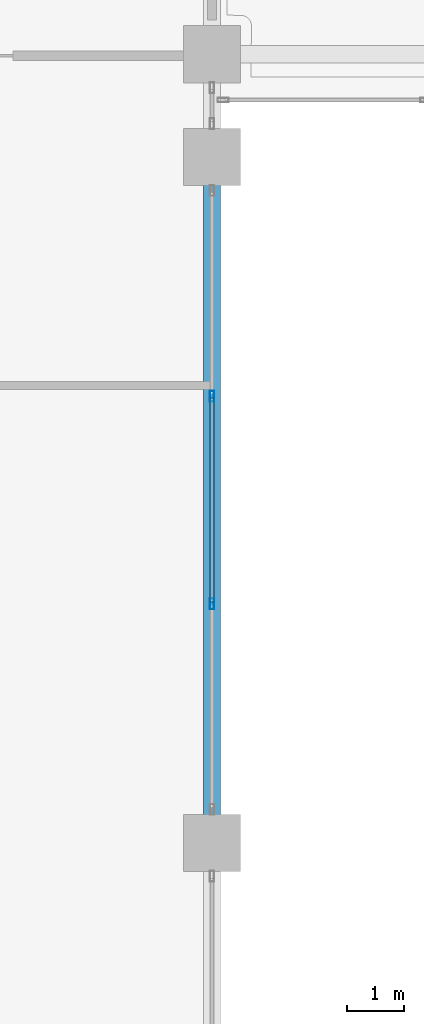
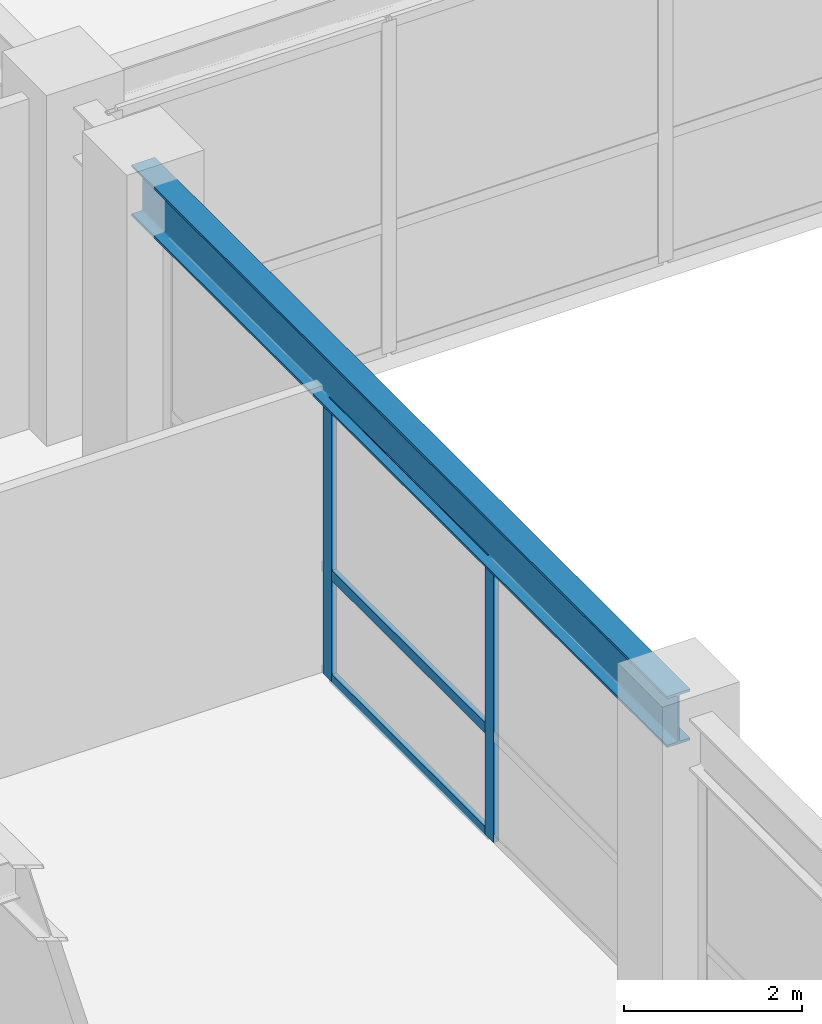
# One storey, part 15 of 48: 5 members, 1 beam, 1 element without a shape of its own.
"""IFC4 building model written with IfcOpenShell, lengths in metres."""

from ifc_helpers import new_model, si_unit, derived_unit, direction, frame, origin, origin_2d, place, context, subcontext, project, spatial, hollow_rectangle, i_section, extrude, source, transform, mapped, material, layer, layer_set, material_profile, profile_set, type_object, element, aggregate, save


model = new_model("IFC4")

# Units and contexts
model_context = context("Model", 3, precision=1e-05, world=origin(), true_north=direction((0.0, 1.0)))
body_context = subcontext(model_context, "Body", "Model", "MODEL_VIEW")
ifc_project = project(units=[si_unit("LENGTHUNIT", "METRE"), si_unit("AREAUNIT", "SQUARE_METRE"), si_unit("VOLUMEUNIT", "CUBIC_METRE"), si_unit("PLANEANGLEUNIT", "RADIAN"), si_unit("MASSUNIT", "GRAM", prefix="KILO"), derived_unit("THERMALTRANSMITTANCEUNIT", [(si_unit("POWERUNIT", "WATT"), 1), (si_unit("LENGTHUNIT", "METRE"), -2), (si_unit("THERMODYNAMICTEMPERATUREUNIT", "KELVIN"), -1)])], contexts=[model_context])

# Site, building, storey
site_placement = place(None, origin())
site = spatial("IfcSite", under=ifc_project, at=site_placement, CompositionType="ELEMENT")
building_placement = place(site_placement, origin())
building = spatial("IfcBuilding", under=site, at=building_placement, Name="Korsvarv Bourse and Concert Hall", CompositionType="ELEMENT")
storey_placement = place(building_placement, frame((0.0, 0.0, 4.800048828125)))
storey = spatial("IfcBuildingStorey", under=building, at=storey_placement, Name="L01", CompositionType="ELEMENT", Elevation=4.800048828125)

# Beam
ifc_material_1 = material(Name="Steel S355", Category="steel")
ifc_material_profile_1 = material_profile(ifc_material_1, i_section(OverallWidth=0.300048828125, OverallDepth=0.699951171875, WebThickness=0.01708984375, FlangeThickness=0.031982421875, FilletRadius=0.027099609375, at=origin_2d()), Name="HEB 700")
ifc_profile_set_1 = profile_set([ifc_material_profile_1], Name="Steel S355")
beam_type = type_object("IfcBeamType", Name="BM-HEB700", PredefinedType="BEAM", material=ifc_profile_set_1)
shared_shape_1 = source(origin(), body_context, "Body", "SweptSolid", [
    extrude(i_section(OverallWidth=0.300048828125, OverallDepth=0.699951171875, WebThickness=0.01708984375, FlangeThickness=0.031982421875, FilletRadius=0.027099609375, at=origin_2d()), origin(), (0.0, 0.0, 1.0), 12.0),
])
beam_placement = place(storey_placement, frame((66.0, 16.0, 4.169921875), z_axis=(0.0, 1.0, 0.0), x_axis=(-1.0, 0.0, 0.0)))
element("IfcBeam", 1, at=beam_placement, inside=storey, type_object=beam_type, Name="L01 beam B-03", PredefinedType="BEAM", context=body_context, shape_type="MappedRepresentation", body=[
    mapped(shared_shape_1, transform((0.0, 0.0, 0.0), scale=1.0)),
])

# Curtain wall, members
ifc_material_2 = material(Name="Anodised aluminium and triple low-E glazing", Category="glass")
ifc_layer = layer(ifc_material_2, 0.239990234375)
ifc_layer_set = layer_set([ifc_layer], Name="Anodised aluminium and triple low-E glazing")
curtain_wall_type = type_object("IfcCurtainWallType", Name="CW-SYS-5", PredefinedType="NOTDEFINED", material=ifc_layer_set)
curtain_wall_placement = place(storey_placement, origin())
curtain_wall = element("IfcCurtainWall", 2, at=curtain_wall_placement, inside=storey, type_object=curtain_wall_type, Name="L01 CW5 curtain wall CW-L01-E2-1", PredefinedType="NOTDEFINED")
ifc_material_3 = material(Name="Extruded aluminium EN AW-6063 T66", Category="aluminium")
ifc_material_profile_2 = material_profile(ifc_material_3, hollow_rectangle(XDim=0.070068359375, YDim=0.18994140625, WallThickness=0.0048828125, at=origin_2d()), Name="ALU-M 70x190")
ifc_profile_set_2 = profile_set([ifc_material_profile_2], Name="Extruded aluminium EN AW-6063 T66")
member_type_1 = type_object("IfcMemberType", Name="CWM-190", PredefinedType="MULLION", material=ifc_profile_set_2)
shared_shape_2 = source(origin(), body_context, "Body", "SweptSolid", [
    extrude(hollow_rectangle(XDim=0.070068359375, YDim=0.18994140625, WallThickness=0.0048828125, at=origin_2d()), origin(), (0.0, 0.0, 1.0), 3.820068359375),
])
member_1_placement = place(storey_placement, frame((66.0, 20.183349609375, 0.0), z_axis=(0.0, 0.0, 1.0), x_axis=(-1.0, 0.0, 0.0)))
member_1 = element("IfcMember", 3, at=member_1_placement, type_object=member_type_1, Name="CW5 mullion 2", PredefinedType="MULLION", context=body_context, shape_type="MappedRepresentation", body=[
    mapped(shared_shape_2, transform((0.0, 0.0, 0.0), scale=1.0)),
])
member_2_placement = place(storey_placement, frame((66.0, 23.816650390625, 0.0), z_axis=(0.0, 0.0, 1.0), x_axis=(-1.0, 0.0, 0.0)))
member_2 = element("IfcMember", 4, at=member_2_placement, type_object=member_type_1, Name="CW5 mullion 3", PredefinedType="MULLION", context=body_context, shape_type="MappedRepresentation", body=[
    mapped(shared_shape_2, transform((0.0, 0.0, 0.0), scale=1.0)),
])
ifc_material_profile_3 = material_profile(ifc_material_3, hollow_rectangle(XDim=0.06494140625, YDim=0.139892578125, WallThickness=0.00390625, at=origin_2d()), Name="ALU-T 65x140")
ifc_profile_set_3 = profile_set([ifc_material_profile_3], Name="Extruded aluminium EN AW-6063 T66")
member_type_2 = type_object("IfcMemberType", Name="CWT-140", PredefinedType="USERDEFINED", material=ifc_profile_set_3)
shared_shape_3 = source(origin(), body_context, "Body", "SweptSolid", [
    extrude(hollow_rectangle(XDim=0.06494140625, YDim=0.139892578125, WallThickness=0.00390625, at=origin_2d()), origin(), (0.0, 0.0, 1.0), 3.5634765625),
])
member_3_placement = place(storey_placement, frame((66.0, 20.21826171875, 0.032470703125), z_axis=(0.0, 1.0, 0.0), x_axis=(-1.0, 0.0, 0.0)))
member_3 = element("IfcMember", 5, at=member_3_placement, type_object=member_type_2, Name="CW5 transom 2.1", ObjectType="TRANSOM", PredefinedType="USERDEFINED", context=body_context, shape_type="MappedRepresentation", body=[
    mapped(shared_shape_3, transform((0.0, 0.0, 0.0), scale=1.0)),
])
member_4_placement = place(storey_placement, frame((66.0, 20.21826171875, 1.45166015625), z_axis=(0.0, 1.0, 0.0), x_axis=(-1.0, 0.0, 0.0)))
member_4 = element("IfcMember", 6, at=member_4_placement, type_object=member_type_2, Name="CW5 transom 2.2", ObjectType="TRANSOM", PredefinedType="USERDEFINED", context=body_context, shape_type="MappedRepresentation", body=[
    mapped(shared_shape_3, transform((0.0, 0.0, 0.0), scale=1.0)),
])
member_5_placement = place(storey_placement, frame((66.0, 20.21826171875, 3.787353515625), z_axis=(0.0, 1.0, 0.0), x_axis=(-1.0, 0.0, 0.0)))
member_5 = element("IfcMember", 7, at=member_5_placement, type_object=member_type_2, Name="CW5 transom 2.3", ObjectType="TRANSOM", PredefinedType="USERDEFINED", context=body_context, shape_type="MappedRepresentation", body=[
    mapped(shared_shape_3, transform((0.0, 0.0, 0.0), scale=1.0)),
])
aggregate(curtain_wall, [member_1, member_2, member_3, member_4, member_5])

save(model, "model.ifc")
